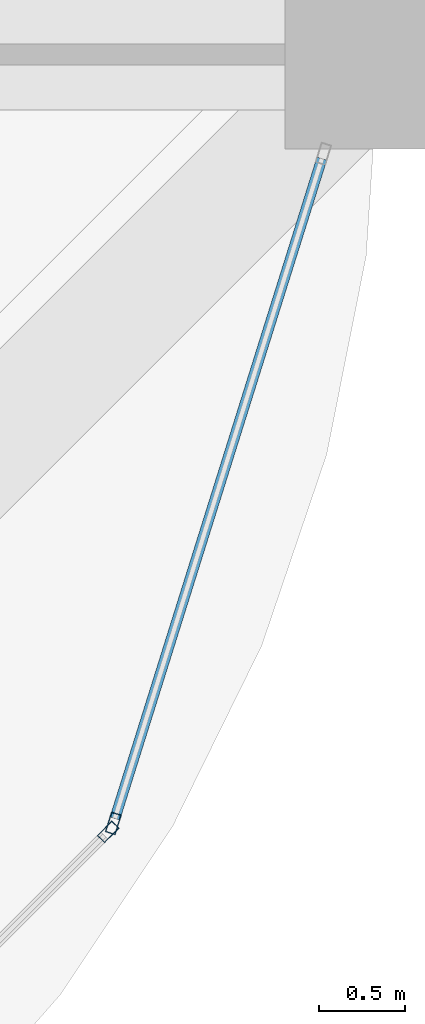
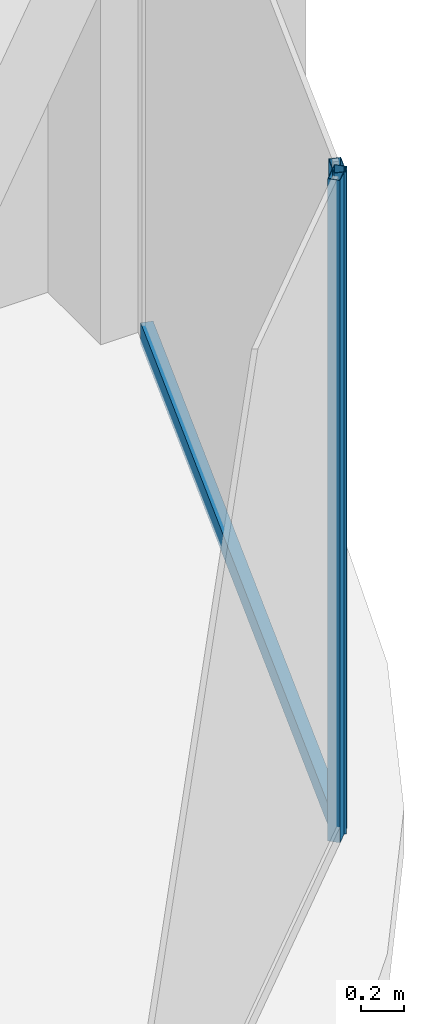
# One storey, part 20 of 44: 3 members, 2 elements without a shape of their own.
"""IFC4 building model written with IfcOpenShell, lengths in metres."""

import ifcopenshell
import ifcopenshell.guid

model = None  # the IFC model being written
_history = None  # IfcOwnerHistory: only IFC2X3 demands one
_inside = {}  # id of a spatial element -> (the spatial element, [elements in it])
_under = {}  # id of a project, library or spatial element -> (it, [spatial elements below it])
_declared = {}  # id of a project -> (the project, [libraries it declares])
_typed = {}  # id of a type object -> (the type object, [elements of that type])
_made_of = {}  # id of a material, layer set ... -> (it, [elements and type objects made of it])


def new_model(schema):
    """Start an empty IFC model of exactly this schema.

    Asked for "IFC4X3", IfcOpenShell would pick the latest addendum, in which some entities
    have other attributes; the version numbers below select the first issue.
    IFC2X3 requires an IfcOwnerHistory on every rooted entity: one is made here for all.
    """
    global model, _history
    if schema == "IFC4X3":
        model = ifcopenshell.file(schema_version=(4, 3, 0, 0))
    else:
        model = ifcopenshell.file(schema=schema)
    _inside.clear()
    _under.clear()
    _declared.clear()
    _typed.clear()
    _made_of.clear()
    _history = None
    if model.schema == "IFC2X3":
        org = make("IfcOrganization", Name="unknown")
        user = make(
            "IfcPersonAndOrganization",
            ThePerson=make("IfcPerson", FamilyName="unknown"),
            TheOrganization=org,
        )
        app = make(
            "IfcApplication",
            ApplicationDeveloper=org,
            Version="unknown",
            ApplicationFullName="unknown",
            ApplicationIdentifier="unknown",
        )
        _history = make(
            "IfcOwnerHistory",
            OwningUser=user,
            OwningApplication=app,
            ChangeAction="ADDED",
            CreationDate=0,
        )
    return model


def make(cls, **values):
    """One entity of the class cls with the attributes given. An attribute that is None is left unset."""
    return model.create_entity(
        cls, **{name: value for name, value in values.items() if value is not None}
    )


def rooted(cls, **values):
    """An entity with a GlobalId (a new one), such as an element, a storey or a relation."""
    return make(cls, GlobalId=ifcopenshell.guid.new(), OwnerHistory=_history, **values)


def si_unit(unit_type, name, prefix=None):
    """IfcSIUnit, for example si_unit("LENGTHUNIT", "METRE", prefix="MILLI")."""
    return make("IfcSIUnit", UnitType=unit_type, Prefix=prefix, Name=name)


def assignment(units):
    """IfcUnitAssignment: the units of a project."""
    return None if units is None else make("IfcUnitAssignment", Units=units)


def point(xyz):
    """IfcCartesianPoint."""
    return None if xyz is None else make("IfcCartesianPoint", Coordinates=xyz)


def direction(xyz):
    """IfcDirection."""
    return None if xyz is None else make("IfcDirection", DirectionRatios=xyz)


def frame(location, z_axis=None, x_axis=None):
    """IfcAxis2Placement3D, a coordinate frame: its origin and axes. An axis left out is left unset."""
    return make(
        "IfcAxis2Placement3D",
        Location=point(location),
        Axis=direction(z_axis),
        RefDirection=direction(x_axis),
    )


def frame_2d(location, x_axis=None):
    """IfcAxis2Placement2D, a coordinate frame in the plane: its origin and x axis."""
    return make(
        "IfcAxis2Placement2D", Location=point(location), RefDirection=direction(x_axis)
    )


def origin():
    """The frame at (0, 0, 0) with its axes left unset."""
    return frame((0.0, 0.0, 0.0))


def origin_2d():
    """The frame at (0, 0) in the plane with its x axis left unset."""
    return frame_2d((0.0, 0.0))


def place(relative_to, where):
    """IfcLocalPlacement: puts the frame where relative to a parent placement (None: the world)."""
    return make(
        "IfcLocalPlacement", PlacementRelTo=relative_to, RelativePlacement=where
    )


def context(
    kind, dimensions, precision=None, world=None, true_north=None, identifier=None
):
    """IfcGeometricRepresentationContext, for example the 3D "Model" context."""
    return make(
        "IfcGeometricRepresentationContext",
        ContextIdentifier=identifier,
        ContextType=kind,
        CoordinateSpaceDimension=dimensions,
        Precision=precision,
        WorldCoordinateSystem=world,
        TrueNorth=true_north,
    )


def subcontext(parent, identifier, kind, view, scale=None):
    """IfcGeometricRepresentationSubContext, for example "Body" below "Model"."""
    return make(
        "IfcGeometricRepresentationSubContext",
        ContextIdentifier=identifier,
        ContextType=kind,
        ParentContext=parent,
        TargetScale=scale,
        TargetView=view,
    )


def project(units=None, contexts=None):
    """IfcProject with its units and contexts."""
    return rooted(
        "IfcProject",
        Name="project",
        RepresentationContexts=contexts,
        UnitsInContext=assignment(units),
    )


def spatial(cls, under=None, at=None, **own):
    """A site, building, storey or space (cls), placed at a placement, below another one or the project."""
    s = rooted(cls, ObjectPlacement=at, **own)
    if under is not None:
        _under.setdefault(under.id(), (under, []))[1].append(s)
    return s


def profile(cls, at=None, kind="AREA", **sizes):
    """A parametric profile (cls). Its sizes go by their IFC names, for example OverallWidth=200.0."""
    return make(cls, ProfileType=kind, Position=at, **sizes)


def hollow_rectangle(**sizes):
    """IfcRectangleHollowProfileDef."""
    return profile("IfcRectangleHollowProfileDef", **sizes)


def extrude(swept, where, along, depth):
    """IfcExtrudedAreaSolid: the profile swept, set in the frame where, extruded along a direction by depth."""
    return make(
        "IfcExtrudedAreaSolid",
        SweptArea=swept,
        Position=where,
        ExtrudedDirection=direction(along),
        Depth=depth,
    )


def shape(context_of_items, identifier, shape_type, items):
    """IfcShapeRepresentation: the items that make up one representation, for example the "Body"."""
    return make(
        "IfcShapeRepresentation",
        ContextOfItems=context_of_items,
        RepresentationIdentifier=identifier,
        RepresentationType=shape_type,
        Items=items,
    )


def material(Name=None, Category=None):
    """IfcMaterial."""
    return make("IfcMaterial", Name=Name, Category=Category)


def material_profile(
    of_material, cross_section, Name=None, Category=None, Priority=None
):
    """IfcMaterialProfile: a cross section and its material."""
    return make(
        "IfcMaterialProfile",
        Name=Name,
        Material=of_material,
        Profile=cross_section,
        Priority=Priority,
        Category=Category,
    )


def profile_set(profiles, Name=None, composite=None):
    """IfcMaterialProfileSet."""
    return make(
        "IfcMaterialProfileSet",
        Name=Name,
        MaterialProfiles=profiles,
        CompositeProfile=composite,
    )


def made_of(thing, what):
    """Note that an element or type object is made of a material, layer set ...; save() writes the relation."""
    if what is not None:
        _made_of.setdefault(what.id(), (what, []))[1].append(thing)
    return thing


def type_object(cls, material=None, **own):
    """A type object (cls), such as IfcWallType, which elements share."""
    return made_of(rooted(cls, **own), material)


def element(
    cls,
    number,
    at=None,
    inside=None,
    cuts=None,
    type_object=None,
    material=None,
    context=None,
    identifier="Body",
    shape_type=None,
    held_by="IfcProductDefinitionShape",
    body=None,
    shapes=None,
    **own,
):
    """One element of the class cls, such as IfcWall. Its Tag is "e" and its number.

    at: its placement. inside: the storey or other place that contains it. cuts: it is an
    opening in that element (IfcRelVoidsElement). A single representation is given by context,
    identifier, shape_type and body (its items); several are given by shapes. held_by: the class
    of the entity that holds the representations. save() writes the other relations.
    """
    e = rooted(cls, Tag="e%d" % number, ObjectPlacement=at, **own)
    if body is not None:
        shapes = [shape(context, identifier, shape_type, body)]
    if shapes is not None:
        e.Representation = make(held_by, Representations=shapes)
    if inside is not None:
        _inside.setdefault(inside.id(), (inside, []))[1].append(e)
    if cuts is not None:
        rooted(
            "IfcRelVoidsElement", RelatingBuildingElement=cuts, RelatedOpeningElement=e
        )
    if type_object is not None:
        _typed.setdefault(type_object.id(), (type_object, []))[1].append(e)
    return made_of(e, material)


def aggregate(whole, parts):
    """IfcRelAggregates: a whole, such as a stair, and the parts it consists of."""
    return rooted("IfcRelAggregates", RelatingObject=whole, RelatedObjects=parts)


def save(model, path):
    """Write the relations noted so far, then the file.

    IfcRelAggregates (storeys below a building ...), IfcRelContainedInSpatialStructure (elements
    in a storey), IfcRelDefinesByType, IfcRelAssociatesMaterial and IfcRelDeclares: one each for
    every whole, place, type object, material and project.
    """
    for whole, parts in _under.values():
        aggregate(whole, parts)
    for where, things in _inside.values():
        rooted(
            "IfcRelContainedInSpatialStructure",
            RelatedElements=things,
            RelatingStructure=where,
        )
    for kind, things in _typed.values():
        rooted("IfcRelDefinesByType", RelatedObjects=things, RelatingType=kind)
    for what, things in _made_of.values():
        rooted("IfcRelAssociatesMaterial", RelatedObjects=things, RelatingMaterial=what)
    for by, libraries in _declared.values():
        rooted("IfcRelDeclares", RelatingContext=by, RelatedDefinitions=libraries)
    model.write(path)


model = new_model("IFC4")

# Units and contexts
model_context = context("Model", 3, precision=1e-05, world=origin(), true_north=direction((0.0, 1.0)))
body_context = subcontext(model_context, "Body", "Model", "MODEL_VIEW")
ifc_project = project(units=[si_unit("LENGTHUNIT", "METRE"), si_unit("AREAUNIT", "SQUARE_METRE"), si_unit("VOLUMEUNIT", "CUBIC_METRE"), si_unit("PLANEANGLEUNIT", "RADIAN"), si_unit("MASSUNIT", "GRAM", prefix="KILO")], contexts=[model_context])

# Site, building, storey
site_placement = place(None, origin())
site = spatial("IfcSite", under=ifc_project, at=site_placement, CompositionType="ELEMENT")
building_placement = place(site_placement, origin())
building = spatial("IfcBuilding", under=site, at=building_placement, Name="Zorevar Civic Tower", CompositionType="ELEMENT")
storey_placement = place(building_placement, frame((0.0, 0.0, 287.39990234375)))
storey = spatial("IfcBuildingStorey", under=building, at=storey_placement, Name="L70", CompositionType="ELEMENT", Elevation=287.39990234375)

# Curtain wall, member
ifc_material_1 = material(Name="Dark grey solar-control glass in black aluminium frame", Category="aluminium")
curtain_wall_type = type_object("IfcCurtainWallType", Name="Curtain wall CW5 top zone", PredefinedType="NOTDEFINED", material=ifc_material_1)
curtain_wall_1_placement = place(storey_placement, origin())
curtain_wall_1 = element("IfcCurtainWall", 1, at=curtain_wall_1_placement, inside=storey, type_object=curtain_wall_type, Name="CW5 L70", PredefinedType="NOTDEFINED")
ifc_material_2 = material(Name="Aluminium, black anodised", Category="aluminium")
ifc_material_profile_1 = material_profile(ifc_material_2, hollow_rectangle(XDim=0.06005859375, YDim=0.1201171875, WallThickness=0.0029296875, at=origin_2d()), Name="AL 120x60x3")
ifc_profile_set_1 = profile_set([ifc_material_profile_1], Name="Aluminium, black anodised")
member_type_1 = type_object("IfcMemberType", Name="CW5 mullion AL 120x60x3", PredefinedType="MULLION", material=ifc_profile_set_1)
member_1_placement = place(storey_placement, frame((52.419677734375, 4.470947265625, 0.0), z_axis=(0.0, 0.0, 1.0), x_axis=(-0.707106781187, 0.707106781187, 0.0)))
member_1 = element("IfcMember", 2, at=member_1_placement, type_object=member_type_1, Name="CW5 mullion 2", PredefinedType="MULLION", context=body_context, shape_type="SweptSolid", body=[
    extrude(hollow_rectangle(XDim=0.06005859375, YDim=0.1201171875, WallThickness=0.0029296875, at=origin_2d()), origin(), (0.0, 0.0, 1.0), 3.75),
])
aggregate(curtain_wall_1, [member_1])

# Curtain wall, members
curtain_wall_2_placement = place(storey_placement, origin())
curtain_wall_2 = element("IfcCurtainWall", 3, at=curtain_wall_2_placement, inside=storey, type_object=curtain_wall_type, Name="CW5 L70", PredefinedType="NOTDEFINED")
member_2_placement = place(storey_placement, frame((52.449951171875, 4.520751953125, 0.0), z_axis=(0.0, 0.0, 1.0), x_axis=(-0.954153437674, 0.299317920238, 0.0)))
member_2 = element("IfcMember", 4, at=member_2_placement, type_object=member_type_1, Name="CW5 mullion 1", PredefinedType="MULLION", context=body_context, shape_type="SweptSolid", body=[
    extrude(hollow_rectangle(XDim=0.06005859375, YDim=0.1201171875, WallThickness=0.0029296875, at=origin_2d()), origin(), (0.0, 0.0, 1.0), 3.75),
])
ifc_material_3 = material(Name="Aluminium, black anodised", Category="aluminium")
ifc_material_profile_2 = material_profile(ifc_material_3, hollow_rectangle(XDim=0.06005859375, YDim=0.1201171875, WallThickness=0.0029296875, at=origin_2d()), Name="AL 120x60x3")
ifc_profile_set_2 = profile_set([ifc_material_profile_2], Name="Aluminium, black anodised")
member_type_2 = type_object("IfcMemberType", Name="CW5 transom AL 120x60x3", PredefinedType="USERDEFINED", material=ifc_profile_set_2)
member_3_placement = place(storey_placement, frame((52.458984375, 4.54931640625, 0.030029296875), z_axis=(0.299285978047, 0.954163457351, 0.0), x_axis=(-0.954163457351, 0.299285978047, 0.0)))
member_3 = element("IfcMember", 5, at=member_3_placement, type_object=member_type_2, Name="CW5 sill transom", ObjectType="TRANSOM", PredefinedType="USERDEFINED", context=body_context, shape_type="SweptSolid", body=[
    extrude(hollow_rectangle(XDim=0.06005859375, YDim=0.1201171875, WallThickness=0.0029296875, at=origin_2d()), origin(), (0.0, 0.0, 1.0), 4.028076171875),
])
aggregate(curtain_wall_2, [member_2, member_3])

save(model, "model.ifc")
